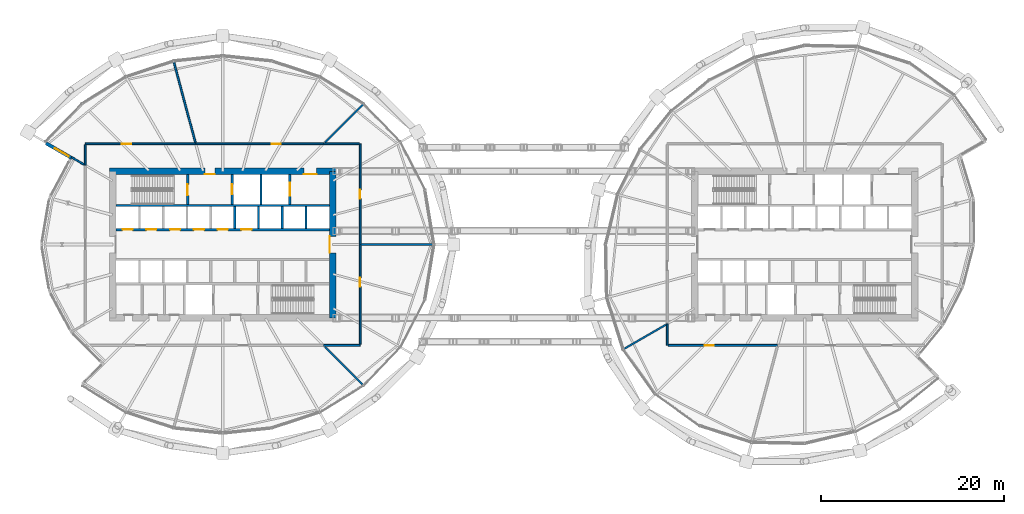
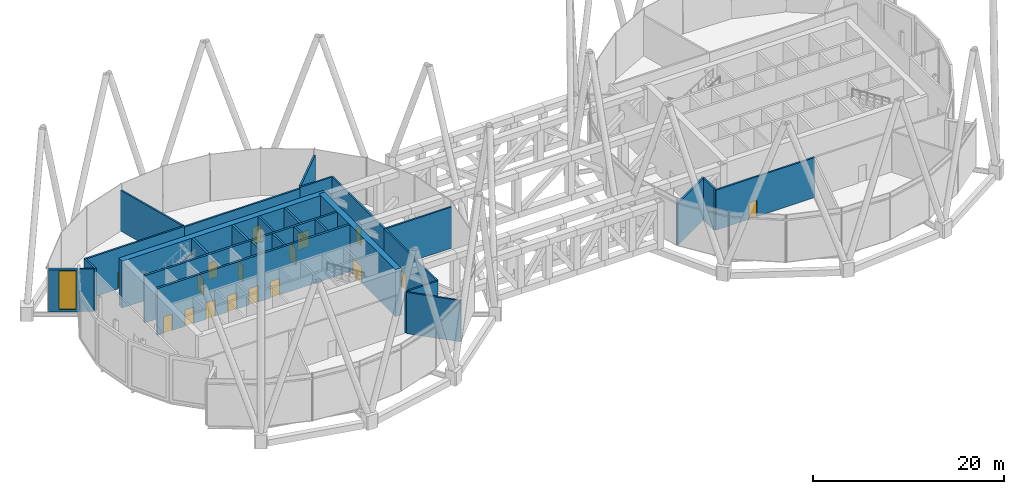
# One storey, part 33 of 39: 28 walls, 17 doors, 1 window, 18 openings.
"""IFC4 building model written with IfcOpenShell, lengths in metres."""

from ifc_helpers import new_model, si_unit, direction, frame, frame_2d, origin, place, context, subcontext, project, spatial, rectangle, extrude, material, layer, layer_set, type_object, element, fill, save


model = new_model("IFC4")

# Units and contexts
model_context = context("Model", 3, precision=1e-05, world=origin(), true_north=direction((0.0, 1.0)))
body_context = subcontext(model_context, "Body", "Model", "MODEL_VIEW")
ifc_project = project(units=[si_unit("LENGTHUNIT", "METRE"), si_unit("AREAUNIT", "SQUARE_METRE"), si_unit("VOLUMEUNIT", "CUBIC_METRE"), si_unit("PLANEANGLEUNIT", "RADIAN"), si_unit("MASSUNIT", "GRAM", prefix="KILO")], contexts=[model_context])

# Site, building, storey
site_placement = place(None, origin())
site = spatial("IfcSite", under=ifc_project, at=site_placement, CompositionType="ELEMENT")
building_placement = place(site_placement, origin())
building = spatial("IfcBuilding", under=site, at=building_placement, Name="Rimbun Link Towers", CompositionType="ELEMENT")
storey_placement = place(building_placement, frame((0.0, 0.0, 127.199951171875)))
storey = spatial("IfcBuildingStorey", under=building, at=storey_placement, Name="L31", CompositionType="ELEMENT", Elevation=127.199951171875)

# Wall, opening, window
ifc_material_1 = material(Name="Dark enamelled glass spandrel on insulated aluminium backpan", Category="aluminium")
ifc_layer_1 = layer(ifc_material_1, 0.3701171875)
ifc_layer_set_1 = layer_set([ifc_layer_1], Name="CS dark enamelled spandrel wall 370")
wall_type_1 = type_object("IfcWallType", Name="CS dark enamelled spandrel wall 370", PredefinedType="STANDARD", material=ifc_layer_set_1)
wall_1_placement = place(storey_placement, frame((-48.209228515625, 9.427734375, 0.0), z_axis=(0.0, 0.0, 1.0), x_axis=(-0.866040564224, 0.499973740429, 0.0)))
wall_1 = element("IfcWall", 1, at=wall_1_placement, inside=storey, type_object=wall_type_1, Name="Crease spandrel wall", PredefinedType="STANDARD", context=body_context, shape_type="SweptSolid", body=[
    extrude(rectangle(XDim=3.280029296875, YDim=0.3701171875, at=frame_2d((1.64013671875, 0.0))), origin(), (0.0, 0.0, 1.0), 5.403564453125),
])
opening_1_placement = place(wall_1_placement, frame((0.408447265625, 0.0, 0.300048828125)))
opening_1 = element("IfcOpeningElement", 2, at=opening_1_placement, cuts=wall_1, Name="Opening WR18H495", PredefinedType="OPENING", context=body_context, shape_type="SweptSolid", body=[
    extrude(rectangle(XDim=1.75, YDim=4.949951171875, at=frame_2d((0.875, 2.47509765625))), frame((0.0, 0.195068359375, 0.0), z_axis=(0.0, -1.0, 0.0), x_axis=(1.0, 0.0, 0.0)), (0.0, 0.0, 1.0), 0.39013671875),
])
ifc_material_2 = material(Name="Aluminium framed fixed window, dark tinted low-e glass", Category="aluminium")
window_type = type_object("IfcWindowType", Name="WR ribbon window 1750X4950", PartitioningType="SINGLE_PANEL", PredefinedType="WINDOW", material=ifc_material_2)
window_placement = place(opening_1_placement, origin())
window = element("IfcWindow", 3, at=window_placement, inside=storey, type_object=window_type, Name="Crease ribbon window", OverallHeight=4.949951171875, OverallWidth=1.75, PartitioningType="SINGLE_PANEL", PredefinedType="WINDOW", context=body_context, shape_type="SweptSolid", body=[
    extrude(rectangle(XDim=1.75, YDim=4.949951171875, at=frame_2d((0.875, 2.47509765625))), frame((0.0, 0.030029296875, 0.0), z_axis=(0.0, -1.0, 0.0), x_axis=(1.0, 0.0, 0.0)), (0.0, 0.0, 1.0), 0.06005859375),
])
fill(opening_1, window)

# Wall, openings, doors
ifc_material_3 = material(Name="Concrete C60/75", Category="concrete")
ifc_layer_2 = layer(ifc_material_3, 0.699951171875)
ifc_layer_set_2 = layer_set([ifc_layer_2], Name="Core shear wall 700")
wall_type_2 = type_object("IfcWallType", Name="Core shear wall 700", PredefinedType="SHEAR", material=ifc_layer_set_2)
wall_2_placement = place(storey_placement, frame((-44.10009765625, 8.0, 0.0), z_axis=(0.0, 0.0, 1.0), x_axis=(1.0, 0.0, 0.0)))
wall_2 = element("IfcWall", 4, at=wall_2_placement, inside=storey, type_object=wall_type_2, Name="L31 T1 core wall N", PredefinedType="SHEAR", context=body_context, shape_type="SweptSolid", body=[
    extrude(rectangle(XDim=24.7001953125, YDim=0.699951171875, at=frame_2d((12.35009765625, 0.0))), origin(), (0.0, 0.0, 1.0), 6.0),
])
opening_2_placement = place(wall_2_placement, frame((10.39990234375, 0.0, 0.0)))
opening_2 = element("IfcOpeningElement", 5, at=opening_2_placement, cuts=wall_2, Name="Opening C1DCF01N", PredefinedType="OPENING", context=body_context, shape_type="SweptSolid", body=[
    extrude(rectangle(XDim=1.10009765625, YDim=2.10009765625, at=frame_2d((0.550048828125, 1.050048828125))), frame((0.0, 0.35986328125, 0.0), z_axis=(0.0, -1.0, 0.0), x_axis=(1.0, 0.0, 0.0)), (0.0, 0.0, 1.0), 0.719970703125),
])
opening_3_placement = place(wall_2_placement, frame((21.199951171875, 0.0, 0.0)))
opening_3 = element("IfcOpeningElement", 6, at=opening_3_placement, cuts=wall_2, Name="Opening C1DSL02N", PredefinedType="OPENING", context=body_context, shape_type="SweptSolid", body=[
    extrude(rectangle(XDim=1.39990234375, YDim=2.10009765625, at=frame_2d((0.699951171875, 1.050048828125))), frame((0.0, 0.35986328125, 0.0), z_axis=(0.0, -1.0, 0.0), x_axis=(1.0, 0.0, 0.0)), (0.0, 0.0, 1.0), 0.719970703125),
])
ifc_material_4 = material(Name="Steel fire door set", Category="steel")
door_type_1 = type_object("IfcDoorType", Name="Core fire door single", OperationType="SINGLE_SWING_LEFT", PredefinedType="DOOR", material=ifc_material_4)
door_1_placement = place(opening_2_placement, origin())
door_1 = element("IfcDoor", 7, at=door_1_placement, inside=storey, type_object=door_type_1, Name="L31 T1 firefighting lobby n door", OperationType="SINGLE_SWING_LEFT", OverallHeight=2.10009765625, OverallWidth=1.10009765625, PredefinedType="DOOR", context=body_context, shape_type="SweptSolid", body=[
    extrude(rectangle(XDim=1.10009765625, YDim=2.10009765625, at=frame_2d((0.550048828125, 1.050048828125))), frame((0.0, -0.2998046875, 0.0), z_axis=(0.0, -1.0, 0.0), x_axis=(1.0, 0.0, 0.0)), (0.0, 0.0, 1.0), 0.050048828125),
])
fill(opening_2, door_1)
ifc_material_5 = material(Name="Steel fire door set", Category="steel")
door_type_2 = type_object("IfcDoorType", Name="Service lobby door double", OperationType="DOUBLE_DOOR_SINGLE_SWING", PredefinedType="DOOR", material=ifc_material_5)
door_2_placement = place(opening_3_placement, origin())
door_2 = element("IfcDoor", 8, at=door_2_placement, inside=storey, type_object=door_type_2, Name="L31 T1 service lobby door", OperationType="DOUBLE_DOOR_SINGLE_SWING", OverallHeight=2.10009765625, OverallWidth=1.39990234375, PredefinedType="DOOR", context=body_context, shape_type="SweptSolid", body=[
    extrude(rectangle(XDim=1.39990234375, YDim=2.10009765625, at=frame_2d((0.699951171875, 1.050048828125))), frame((0.0, -0.2998046875, 0.0), z_axis=(0.0, -1.0, 0.0), x_axis=(1.0, 0.0, 0.0)), (0.0, 0.0, 1.0), 0.050048828125),
])
fill(opening_3, door_2)

# Wall, opening, door
wall_3_placement = place(storey_placement, frame((-19.75, -8.0, 0.0), z_axis=(0.0, 0.0, 1.0), x_axis=(0.0, 1.0, 0.0)))
wall_3 = element("IfcWall", 9, at=wall_3_placement, inside=storey, type_object=wall_type_2, Name="L31 T1 core wall E", PredefinedType="SHEAR", context=body_context, shape_type="SweptSolid", body=[
    extrude(rectangle(XDim=16.0, YDim=0.699951171875, at=frame_2d((8.0, 0.0))), origin(), (0.0, 0.0, 1.0), 6.0),
])
opening_4_placement = place(wall_3_placement, frame((7.10009765625, 0.0, 0.0)))
opening_4 = element("IfcOpeningElement", 10, at=opening_4_placement, cuts=wall_3, Name="Opening C1DCL01E", PredefinedType="OPENING", context=body_context, shape_type="SweptSolid", body=[
    extrude(rectangle(XDim=1.800048828125, YDim=2.10009765625, at=frame_2d((0.89990234375, 1.050048828125))), frame((0.0, 0.35986328125, 0.0), z_axis=(0.0, -1.0, 0.0), x_axis=(1.0, 0.0, 0.0)), (0.0, 0.0, 1.0), 0.719970703125),
])
ifc_material_6 = material(Name="Steel fire door set", Category="steel")
door_type_3 = type_object("IfcDoorType", Name="Core lobby door double", OperationType="DOUBLE_DOOR_SINGLE_SWING", PredefinedType="DOOR", material=ifc_material_6)
door_3_placement = place(opening_4_placement, origin())
door_3 = element("IfcDoor", 11, at=door_3_placement, inside=storey, type_object=door_type_3, Name="L31 T1 lift lobby door", OperationType="DOUBLE_DOOR_SINGLE_SWING", OverallHeight=2.10009765625, OverallWidth=1.800048828125, PredefinedType="DOOR", context=body_context, shape_type="SweptSolid", body=[
    extrude(rectangle(XDim=1.800048828125, YDim=2.10009765625, at=frame_2d((0.89990234375, 1.050048828125))), frame((0.0, 0.35009765625, 0.0), z_axis=(0.0, -1.0, 0.0), x_axis=(1.0, 0.0, 0.0)), (0.0, 0.0, 1.0), 0.050048828125),
])
fill(opening_4, door_3)

# Wall
ifc_material_7 = material(Name="Concrete blockwork", Category="masonry")
ifc_layer_3 = layer(ifc_material_7, 0.199951171875)
ifc_layer_set_3 = layer_set([ifc_layer_3], Name="Fire partition 200 blockwork")
wall_type_3 = type_object("IfcWallType", Name="Fire partition 200 blockwork", PredefinedType="PARTITIONING", material=ifc_layer_set_3)
wall_4_placement = place(storey_placement, frame((-20.75, -11.0, 0.0), z_axis=(0.0, 0.0, 1.0), x_axis=(1.0, 0.0, 0.0)))
element("IfcWall", 12, at=wall_4_placement, inside=storey, type_object=wall_type_3, Name="TW/PW/L31/003", PredefinedType="PARTITIONING", context=body_context, shape_type="SweptSolid", body=[
    extrude(rectangle(XDim=4.0, YDim=0.199951171875, at=frame_2d((2.0, 0.0))), origin(), (0.0, 0.0, 1.0), 5.26708984375),
])

# Wall, opening, door
wall_5_placement = place(storey_placement, frame((-16.75, -10.89990234375, 0.0), z_axis=(0.0, 0.0, 1.0), x_axis=(0.0, 1.0, 0.0)))
wall_5 = element("IfcWall", 13, at=wall_5_placement, inside=storey, type_object=wall_type_3, Name="TW/PW/L31/004", PredefinedType="PARTITIONING", context=body_context, shape_type="SweptSolid", body=[
    extrude(rectangle(XDim=10.89990234375, YDim=0.199951171875, at=frame_2d((5.449951171875, 0.0))), origin(), (0.0, 0.0, 1.0), 5.26708984375),
])
opening_5_placement = place(wall_5_placement, frame((6.300048828125, 0.0, 0.0)))
opening_5 = element("IfcOpeningElement", 14, at=opening_5_placement, cuts=wall_5, Name="Opening TW D31.03", PredefinedType="OPENING", context=body_context, shape_type="SweptSolid", body=[
    extrude(rectangle(XDim=1.0, YDim=2.10009765625, at=frame_2d((0.5, 1.050048828125))), frame((0.0, 0.10986328125, 0.0), z_axis=(0.0, -1.0, 0.0), x_axis=(1.0, 0.0, 0.0)), (0.0, 0.0, 1.0), 0.219970703125),
])
ifc_material_8 = material(Name="Steel fire door set", Category="steel")
door_type_4 = type_object("IfcDoorType", Name="Fire door single leaf 1000 x 2100", OperationType="NOTDEFINED", PredefinedType="DOOR", material=ifc_material_8)
door_4_placement = place(opening_5_placement, origin())
door_4 = element("IfcDoor", 15, at=door_4_placement, inside=storey, type_object=door_type_4, Name="TW/DR/L31/003", OperationType="SINGLE_SWING_RIGHT", OverallHeight=2.10009765625, OverallWidth=1.0, PredefinedType="DOOR", context=body_context, shape_type="SweptSolid", body=[
    extrude(rectangle(XDim=1.0, YDim=2.10009765625, at=frame_2d((0.5, 1.050048828125))), frame((0.0, 0.02490234375, 0.0), z_axis=(0.0, -1.0, 0.0), x_axis=(1.0, 0.0, 0.0)), (0.0, 0.0, 1.0), 0.050048828125),
])
fill(opening_5, door_4)

wall_6_placement = place(storey_placement, frame((-16.75, 0.0, 0.0), z_axis=(0.0, 0.0, 1.0), x_axis=(0.0, 1.0, 0.0)))
wall_6 = element("IfcWall", 16, at=wall_6_placement, inside=storey, type_object=wall_type_3, Name="TW/PW/L31/005", PredefinedType="PARTITIONING", context=body_context, shape_type="SweptSolid", body=[
    extrude(rectangle(XDim=11.0, YDim=0.199951171875, at=frame_2d((5.5, 0.0))), origin(), (0.0, 0.0, 1.0), 5.26708984375),
])
opening_6_placement = place(wall_6_placement, frame((5.0, 0.0, 0.0)))
opening_6 = element("IfcOpeningElement", 17, at=opening_6_placement, cuts=wall_6, Name="Opening TW D31.04", PredefinedType="OPENING", context=body_context, shape_type="SweptSolid", body=[
    extrude(rectangle(XDim=1.0, YDim=2.10009765625, at=frame_2d((0.5, 1.050048828125))), frame((0.0, 0.10986328125, 0.0), z_axis=(0.0, -1.0, 0.0), x_axis=(1.0, 0.0, 0.0)), (0.0, 0.0, 1.0), 0.219970703125),
])
door_5_placement = place(opening_6_placement, origin())
door_5 = element("IfcDoor", 18, at=door_5_placement, inside=storey, type_object=door_type_4, Name="TW/DR/L31/004", OperationType="SINGLE_SWING_LEFT", OverallHeight=2.10009765625, OverallWidth=1.0, PredefinedType="DOOR", context=body_context, shape_type="SweptSolid", body=[
    extrude(rectangle(XDim=1.0, YDim=2.10009765625, at=frame_2d((0.5, 1.050048828125))), frame((0.0, 0.02490234375, 0.0), z_axis=(0.0, -1.0, 0.0), x_axis=(1.0, 0.0, 0.0)), (0.0, 0.0, 1.0), 0.050048828125),
])
fill(opening_6, door_5)

# Wall
wall_7_placement = place(storey_placement, frame((-16.85009765625, 11.0, 0.0), z_axis=(0.0, 0.0, 1.0), x_axis=(-1.0, 0.0, 0.0)))
element("IfcWall", 19, at=wall_7_placement, inside=storey, type_object=wall_type_3, Name="TW/PW/L31/006", PredefinedType="PARTITIONING", context=body_context, shape_type="SweptSolid", body=[
    extrude(rectangle(XDim=3.89990234375, YDim=0.199951171875, at=frame_2d((1.949951171875, 0.0))), origin(), (0.0, 0.0, 1.0), 5.26708984375),
])

# Wall, opening, door
wall_8_placement = place(storey_placement, frame((-20.75, 11.0, 0.0), z_axis=(0.0, 0.0, 1.0), x_axis=(-1.0, 0.0, 0.0)))
wall_8 = element("IfcWall", 20, at=wall_8_placement, inside=storey, type_object=wall_type_3, Name="TW/PW/L31/007", PredefinedType="PARTITIONING", context=body_context, shape_type="SweptSolid", body=[
    extrude(rectangle(XDim=13.947509765625, YDim=0.199951171875, at=frame_2d((6.9736328125, 0.0))), origin(), (0.0, 0.0, 1.0), 5.115966796875),
])
opening_7_placement = place(wall_8_placement, frame((4.6669921875, 0.0, 0.0)))
opening_7 = element("IfcOpeningElement", 21, at=opening_7_placement, cuts=wall_8, Name="Opening TW D31.05", PredefinedType="OPENING", context=body_context, shape_type="SweptSolid", body=[
    extrude(rectangle(XDim=1.0, YDim=2.10009765625, at=frame_2d((0.5, 1.050048828125))), frame((0.0, 0.10986328125, 0.0), z_axis=(0.0, -1.0, 0.0), x_axis=(1.0, 0.0, 0.0)), (0.0, 0.0, 1.0), 0.219970703125),
])
door_6_placement = place(opening_7_placement, origin())
door_6 = element("IfcDoor", 22, at=door_6_placement, inside=storey, type_object=door_type_4, Name="TW/DR/L31/005", OperationType="SINGLE_SWING_RIGHT", OverallHeight=2.10009765625, OverallWidth=1.0, PredefinedType="DOOR", context=body_context, shape_type="SweptSolid", body=[
    extrude(rectangle(XDim=1.0, YDim=2.10009765625, at=frame_2d((0.5, 1.050048828125))), frame((0.0, 0.02490234375, 0.0), z_axis=(0.0, -1.0, 0.0), x_axis=(1.0, 0.0, 0.0)), (0.0, 0.0, 1.0), 0.050048828125),
])
fill(opening_7, door_6)

wall_9_placement = place(storey_placement, frame((-34.697509765625, 11.0, 0.0), z_axis=(0.0, 0.0, 1.0), x_axis=(-1.0, 0.0, 0.0)))
wall_9 = element("IfcWall", 23, at=wall_9_placement, inside=storey, type_object=wall_type_3, Name="TW/PW/L31/008", PredefinedType="PARTITIONING", context=body_context, shape_type="SweptSolid", body=[
    extrude(rectangle(XDim=12.052490234375, YDim=0.199951171875, at=frame_2d((6.0263671875, 0.0))), origin(), (0.0, 0.0, 1.0), 5.197021484375),
])
opening_8_placement = place(wall_9_placement, frame((7.049072265625, 0.0, 0.0)))
opening_8 = element("IfcOpeningElement", 24, at=opening_8_placement, cuts=wall_9, Name="Opening TW D31.06", PredefinedType="OPENING", context=body_context, shape_type="SweptSolid", body=[
    extrude(rectangle(XDim=1.0, YDim=2.10009765625, at=frame_2d((0.5, 1.050048828125))), frame((0.0, 0.10986328125, 0.0), z_axis=(0.0, -1.0, 0.0), x_axis=(1.0, 0.0, 0.0)), (0.0, 0.0, 1.0), 0.219970703125),
])
door_7_placement = place(opening_8_placement, origin())
door_7 = element("IfcDoor", 25, at=door_7_placement, inside=storey, type_object=door_type_4, Name="TW/DR/L31/006", OperationType="SINGLE_SWING_LEFT", OverallHeight=2.10009765625, OverallWidth=1.0, PredefinedType="DOOR", context=body_context, shape_type="SweptSolid", body=[
    extrude(rectangle(XDim=1.0, YDim=2.10009765625, at=frame_2d((0.5, 1.050048828125))), frame((0.0, 0.02490234375, 0.0), z_axis=(0.0, -1.0, 0.0), x_axis=(1.0, 0.0, 0.0)), (0.0, 0.0, 1.0), 0.050048828125),
])
fill(opening_8, door_7)

# Walls
wall_10_placement = place(storey_placement, frame((-46.75, 10.89990234375, 0.0), z_axis=(0.0, 0.0, 1.0), x_axis=(0.0, -1.0, 0.0)))
element("IfcWall", 26, at=wall_10_placement, inside=storey, type_object=wall_type_3, Name="TW/PW/L31/009", PredefinedType="PARTITIONING", context=body_context, shape_type="SweptSolid", body=[
    extrude(rectangle(XDim=2.239501953125, YDim=0.199951171875, at=frame_2d((1.11962890625, 0.0))), origin(), (0.0, 0.0, 1.0), 5.39404296875),
])
wall_11_placement = place(storey_placement, frame((-16.398193359375, -15.351806640625, 0.0), z_axis=(0.0, 0.0, 1.0), x_axis=(-0.707106781187, 0.707106781187, 0.0)))
element("IfcWall", 27, at=wall_11_placement, inside=storey, type_object=wall_type_3, Name="TW/PW/L31/013", PredefinedType="PARTITIONING", context=body_context, shape_type="SweptSolid", body=[
    extrude(rectangle(XDim=5.9130859375, YDim=0.199951171875, at=frame_2d((2.95654296875, 0.0))), origin(), (0.0, 0.0, 1.0), 5.26708984375),
])
wall_12_placement = place(storey_placement, frame((-8.704833984375, 0.0, 0.0), z_axis=(0.0, 0.0, 1.0), x_axis=(-1.0, 0.0, 0.0)))
element("IfcWall", 28, at=wall_12_placement, inside=storey, type_object=wall_type_3, Name="TW/PW/L31/014", PredefinedType="PARTITIONING", context=body_context, shape_type="SweptSolid", body=[
    extrude(rectangle(XDim=7.945068359375, YDim=0.199951171875, at=frame_2d((3.97265625, 0.0))), origin(), (0.0, 0.0, 1.0), 5.26708984375),
])
wall_13_placement = place(storey_placement, frame((-16.454833984375, 15.295166015625, 0.0), z_axis=(0.0, 0.0, 1.0), x_axis=(-0.707106781187, -0.707106781187, 0.0)))
element("IfcWall", 29, at=wall_13_placement, inside=storey, type_object=wall_type_3, Name="TW/PW/L31/015", PredefinedType="PARTITIONING", context=body_context, shape_type="SweptSolid", body=[
    extrude(rectangle(XDim=5.8330078125, YDim=0.199951171875, at=frame_2d((2.91650390625, 0.0))), origin(), (0.0, 0.0, 1.0), 5.26708984375),
])
wall_14_placement = place(storey_placement, frame((-37.114013671875, 20.01904296875, 0.0), z_axis=(0.0, 0.0, 1.0), x_axis=(0.258811195119, -0.965927929652, 0.0)))
element("IfcWall", 30, at=wall_14_placement, inside=storey, type_object=wall_type_3, Name="TW/PW/L31/016", PredefinedType="PARTITIONING", context=body_context, shape_type="SweptSolid", body=[
    extrude(rectangle(XDim=9.206787109375, YDim=0.199951171875, at=frame_2d((4.603515625, 0.0))), origin(), (0.0, 0.0, 1.0), 5.197021484375),
])
wall_15_placement = place(storey_placement, frame((-48.24609375, 9.52392578125, 0.0), z_axis=(0.0, 0.0, 1.0), x_axis=(0.866060045659, -0.499939993713, 0.0)))
element("IfcWall", 31, at=wall_15_placement, inside=storey, type_object=wall_type_3, Name="TW/PW/L31/017", PredefinedType="PARTITIONING", context=body_context, shape_type="SweptSolid", body=[
    extrude(rectangle(XDim=1.554443359375, YDim=0.199951171875, at=frame_2d((0.77734375, 0.0))), origin(), (0.0, 0.0, 1.0), 5.39404296875),
])
wall_16_placement = place(storey_placement, frame((16.75, -8.660400390625, 0.0), z_axis=(0.0, 0.0, 1.0), x_axis=(0.0, -1.0, 0.0)))
element("IfcWall", 32, at=wall_16_placement, inside=storey, type_object=wall_type_3, Name="TW/PW/L31/018", PredefinedType="PARTITIONING", context=body_context, shape_type="SweptSolid", body=[
    extrude(rectangle(XDim=2.339599609375, YDim=0.199951171875, at=frame_2d((1.169921875, 0.0))), origin(), (0.0, 0.0, 1.0), 5.34716796875),
])

# Wall, opening, door
wall_17_placement = place(storey_placement, frame((16.85009765625, -11.0, 0.0), z_axis=(0.0, 0.0, 1.0), x_axis=(1.0, 0.0, 0.0)))
wall_17 = element("IfcWall", 33, at=wall_17_placement, inside=storey, type_object=wall_type_3, Name="TW/PW/L31/019", PredefinedType="PARTITIONING", context=body_context, shape_type="SweptSolid", body=[
    extrude(rectangle(XDim=11.952392578125, YDim=0.199951171875, at=frame_2d((5.97607421875, 0.0))), origin(), (0.0, 0.0, 1.0), 5.115966796875),
])
opening_9_placement = place(wall_17_placement, frame((3.968017578125, 0.0, 0.0)))
opening_9 = element("IfcOpeningElement", 34, at=opening_9_placement, cuts=wall_17, Name="Opening TW D31.08", PredefinedType="OPENING", context=body_context, shape_type="SweptSolid", body=[
    extrude(rectangle(XDim=1.0, YDim=2.10009765625, at=frame_2d((0.5, 1.050048828125))), frame((0.0, 0.10986328125, 0.0), z_axis=(0.0, -1.0, 0.0), x_axis=(1.0, 0.0, 0.0)), (0.0, 0.0, 1.0), 0.219970703125),
])
door_8_placement = place(opening_9_placement, origin())
door_8 = element("IfcDoor", 35, at=door_8_placement, inside=storey, type_object=door_type_4, Name="TW/DR/L31/008", OperationType="SINGLE_SWING_LEFT", OverallHeight=2.10009765625, OverallWidth=1.0, PredefinedType="DOOR", context=body_context, shape_type="SweptSolid", body=[
    extrude(rectangle(XDim=1.0, YDim=2.10009765625, at=frame_2d((0.5, 1.050048828125))), frame((0.0, 0.02490234375, 0.0), z_axis=(0.0, -1.0, 0.0), x_axis=(1.0, 0.0, 0.0)), (0.0, 0.0, 1.0), 0.050048828125),
])
fill(opening_9, door_8)

# Walls
wall_18_placement = place(storey_placement, frame((16.60009765625, -8.746826171875, 0.0), z_axis=(0.0, 0.0, 1.0), x_axis=(-0.866039146635, -0.499976195929, 0.0)))
element("IfcWall", 36, at=wall_18_placement, inside=storey, type_object=wall_type_3, Name="TW/PW/L31/030", PredefinedType="PARTITIONING", context=body_context, shape_type="SweptSolid", body=[
    extrude(rectangle(XDim=5.358154296875, YDim=0.199951171875, at=frame_2d((2.67919921875, 0.0))), origin(), (0.0, 0.0, 1.0), 5.34716796875),
])
ifc_material_9 = material(Name="Concrete C60/75", Category="concrete")
ifc_layer_4 = layer(ifc_material_9, 0.25)
ifc_layer_set_4 = layer_set([ifc_layer_4], Name="Shaft wall 250")
wall_type_4 = type_object("IfcWallType", Name="Shaft wall 250", PredefinedType="SHEAR", material=ifc_layer_set_4)
wall_19_placement = place(storey_placement, frame((-43.39990234375, 4.27490234375, 0.0), z_axis=(0.0, 0.0, 1.0), x_axis=(1.0, 0.0, 0.0)))
element("IfcWall", 37, at=wall_19_placement, inside=storey, type_object=wall_type_4, Name="L31 T1 core wall BN", PredefinedType="SHEAR", context=body_context, shape_type="SweptSolid", body=[
    extrude(rectangle(XDim=23.2998046875, YDim=0.25, at=frame_2d((11.64990234375, 0.0))), origin(), (0.0, 0.0, 1.0), 6.0),
])

# Wall, openings, doors
wall_20_placement = place(storey_placement, frame((-43.39990234375, 1.625, 0.0), z_axis=(0.0, 0.0, 1.0), x_axis=(1.0, 0.0, 0.0)))
wall_20 = element("IfcWall", 38, at=wall_20_placement, inside=storey, type_object=wall_type_4, Name="L31 T1 core wall FN", PredefinedType="SHEAR", context=body_context, shape_type="SweptSolid", body=[
    extrude(rectangle(XDim=23.2998046875, YDim=0.25, at=frame_2d((11.64990234375, 0.0))), origin(), (0.0, 0.0, 1.0), 6.0),
])
opening_10_placement = place(wall_20_placement, frame((0.72216796875, 0.0, 0.0)))
opening_10 = element("IfcOpeningElement", 39, at=opening_10_placement, cuts=wall_20, Name="Opening LD-T1-LR1", PredefinedType="OPENING", context=body_context, shape_type="SweptSolid", body=[
    extrude(rectangle(XDim=1.10009765625, YDim=2.10009765625, at=frame_2d((0.550048828125, 1.050048828125))), frame((0.0, 0.135009765625, 0.0), z_axis=(0.0, -1.0, 0.0), x_axis=(1.0, 0.0, 0.0)), (0.0, 0.0, 1.0), 0.27001953125),
])
opening_11_placement = place(wall_20_placement, frame((3.316650390625, 0.0, 0.0)))
opening_11 = element("IfcOpeningElement", 40, at=opening_11_placement, cuts=wall_20, Name="Opening LD-T1-LR2", PredefinedType="OPENING", context=body_context, shape_type="SweptSolid", body=[
    extrude(rectangle(XDim=1.10009765625, YDim=2.10009765625, at=frame_2d((0.550048828125, 1.050048828125))), frame((0.0, 0.135009765625, 0.0), z_axis=(0.0, -1.0, 0.0), x_axis=(1.0, 0.0, 0.0)), (0.0, 0.0, 1.0), 0.27001953125),
])
opening_12_placement = place(wall_20_placement, frame((5.9111328125, 0.0, 0.0)))
opening_12 = element("IfcOpeningElement", 41, at=opening_12_placement, cuts=wall_20, Name="Opening LD-T1-LR3", PredefinedType="OPENING", context=body_context, shape_type="SweptSolid", body=[
    extrude(rectangle(XDim=1.10009765625, YDim=2.10009765625, at=frame_2d((0.550048828125, 1.050048828125))), frame((0.0, 0.135009765625, 0.0), z_axis=(0.0, -1.0, 0.0), x_axis=(1.0, 0.0, 0.0)), (0.0, 0.0, 1.0), 0.27001953125),
])
opening_13_placement = place(wall_20_placement, frame((8.505615234375, 0.0, 0.0)))
opening_13 = element("IfcOpeningElement", 42, at=opening_13_placement, cuts=wall_20, Name="Opening LD-T1-LR4", PredefinedType="OPENING", context=body_context, shape_type="SweptSolid", body=[
    extrude(rectangle(XDim=1.10009765625, YDim=2.10009765625, at=frame_2d((0.550048828125, 1.050048828125))), frame((0.0, 0.135009765625, 0.0), z_axis=(0.0, -1.0, 0.0), x_axis=(1.0, 0.0, 0.0)), (0.0, 0.0, 1.0), 0.27001953125),
])
opening_14_placement = place(wall_20_placement, frame((11.10009765625, 0.0, 0.0)))
opening_14 = element("IfcOpeningElement", 43, at=opening_14_placement, cuts=wall_20, Name="Opening LD-T1-LR5", PredefinedType="OPENING", context=body_context, shape_type="SweptSolid", body=[
    extrude(rectangle(XDim=1.10009765625, YDim=2.10009765625, at=frame_2d((0.550048828125, 1.050048828125))), frame((0.0, 0.135009765625, 0.0), z_axis=(0.0, -1.0, 0.0), x_axis=(1.0, 0.0, 0.0)), (0.0, 0.0, 1.0), 0.27001953125),
])
opening_15_placement = place(wall_20_placement, frame((13.6943359375, 0.0, 0.0)))
opening_15 = element("IfcOpeningElement", 44, at=opening_15_placement, cuts=wall_20, Name="Opening LD-T1-LR6", PredefinedType="OPENING", context=body_context, shape_type="SweptSolid", body=[
    extrude(rectangle(XDim=1.10009765625, YDim=2.10009765625, at=frame_2d((0.550048828125, 1.050048828125))), frame((0.0, 0.135009765625, 0.0), z_axis=(0.0, -1.0, 0.0), x_axis=(1.0, 0.0, 0.0)), (0.0, 0.0, 1.0), 0.27001953125),
])
ifc_material_10 = material(Name="Stainless steel grade 316", Category="steel")
door_type_5 = type_object("IfcDoorType", Name="Lift landing door", OperationType="DOUBLE_DOOR_SLIDING", PredefinedType="DOOR", material=ifc_material_10)
door_9_placement = place(opening_10_placement, origin())
door_9 = element("IfcDoor", 45, at=door_9_placement, inside=storey, type_object=door_type_5, Name="L31 T1 lift LR1 landing door", OperationType="DOUBLE_DOOR_SLIDING", OverallHeight=2.10009765625, OverallWidth=1.10009765625, PredefinedType="DOOR", context=body_context, shape_type="SweptSolid", body=[
    extrude(rectangle(XDim=1.10009765625, YDim=2.10009765625, at=frame_2d((0.550048828125, 1.050048828125))), frame((0.0, 0.02490234375, 0.0), z_axis=(0.0, -1.0, 0.0), x_axis=(1.0, 0.0, 0.0)), (0.0, 0.0, 1.0), 0.050048828125),
])
fill(opening_10, door_9)
door_10_placement = place(opening_11_placement, origin())
door_10 = element("IfcDoor", 46, at=door_10_placement, inside=storey, type_object=door_type_5, Name="L31 T1 lift LR2 landing door", OperationType="DOUBLE_DOOR_SLIDING", OverallHeight=2.10009765625, OverallWidth=1.10009765625, PredefinedType="DOOR", context=body_context, shape_type="SweptSolid", body=[
    extrude(rectangle(XDim=1.10009765625, YDim=2.10009765625, at=frame_2d((0.550048828125, 1.050048828125))), frame((0.0, 0.02490234375, 0.0), z_axis=(0.0, -1.0, 0.0), x_axis=(1.0, 0.0, 0.0)), (0.0, 0.0, 1.0), 0.050048828125),
])
fill(opening_11, door_10)
door_11_placement = place(opening_12_placement, origin())
door_11 = element("IfcDoor", 47, at=door_11_placement, inside=storey, type_object=door_type_5, Name="L31 T1 lift LR3 landing door", OperationType="DOUBLE_DOOR_SLIDING", OverallHeight=2.10009765625, OverallWidth=1.10009765625, PredefinedType="DOOR", context=body_context, shape_type="SweptSolid", body=[
    extrude(rectangle(XDim=1.10009765625, YDim=2.10009765625, at=frame_2d((0.550048828125, 1.050048828125))), frame((0.0, 0.02490234375, 0.0), z_axis=(0.0, -1.0, 0.0), x_axis=(1.0, 0.0, 0.0)), (0.0, 0.0, 1.0), 0.050048828125),
])
fill(opening_12, door_11)
door_12_placement = place(opening_13_placement, origin())
door_12 = element("IfcDoor", 48, at=door_12_placement, inside=storey, type_object=door_type_5, Name="L31 T1 lift LR4 landing door", OperationType="DOUBLE_DOOR_SLIDING", OverallHeight=2.10009765625, OverallWidth=1.10009765625, PredefinedType="DOOR", context=body_context, shape_type="SweptSolid", body=[
    extrude(rectangle(XDim=1.10009765625, YDim=2.10009765625, at=frame_2d((0.550048828125, 1.050048828125))), frame((0.0, 0.02490234375, 0.0), z_axis=(0.0, -1.0, 0.0), x_axis=(1.0, 0.0, 0.0)), (0.0, 0.0, 1.0), 0.050048828125),
])
fill(opening_13, door_12)
door_13_placement = place(opening_14_placement, origin())
door_13 = element("IfcDoor", 49, at=door_13_placement, inside=storey, type_object=door_type_5, Name="L31 T1 lift LR5 landing door", OperationType="DOUBLE_DOOR_SLIDING", OverallHeight=2.10009765625, OverallWidth=1.10009765625, PredefinedType="DOOR", context=body_context, shape_type="SweptSolid", body=[
    extrude(rectangle(XDim=1.10009765625, YDim=2.10009765625, at=frame_2d((0.550048828125, 1.050048828125))), frame((0.0, 0.02490234375, 0.0), z_axis=(0.0, -1.0, 0.0), x_axis=(1.0, 0.0, 0.0)), (0.0, 0.0, 1.0), 0.050048828125),
])
fill(opening_14, door_13)
door_14_placement = place(opening_15_placement, origin())
door_14 = element("IfcDoor", 50, at=door_14_placement, inside=storey, type_object=door_type_5, Name="L31 T1 lift LR6 landing door", OperationType="DOUBLE_DOOR_SLIDING", OverallHeight=2.10009765625, OverallWidth=1.10009765625, PredefinedType="DOOR", context=body_context, shape_type="SweptSolid", body=[
    extrude(rectangle(XDim=1.10009765625, YDim=2.10009765625, at=frame_2d((0.550048828125, 1.050048828125))), frame((0.0, 0.02490234375, 0.0), z_axis=(0.0, -1.0, 0.0), x_axis=(1.0, 0.0, 0.0)), (0.0, 0.0, 1.0), 0.050048828125),
])
fill(opening_15, door_14)

# Walls
for number, where, z_axis, x_axis, name in (
    (51, (-30.452880859375, 1.75, 0.0), (0.0, 0.0, 1.0), (0.0, 1.0, 0.0), "L31 T1 core wall DN4"),
    (52, (-27.8583984375, 1.75, 0.0), (0.0, 0.0, 1.0), (0.0, 1.0, 0.0), "L31 T1 core wall DN5"),
    (53, (-25.263916015625, 1.75, 0.0), (0.0, 0.0, 1.0), (0.0, 1.0, 0.0), "L31 T1 core wall DN6"),
    (54, (-22.66943359375, 1.75, 0.0), (0.0, 0.0, 1.0), (0.0, 1.0, 0.0), "L31 T1 core wall DN7"),
):
    element("IfcWall", number, at=place(storey_placement, frame(where, z_axis=z_axis, x_axis=x_axis)), inside=storey, type_object=wall_type_4, Name=name, PredefinedType="SHEAR", context=body_context, shape_type="SweptSolid", body=[
        extrude(rectangle(XDim=2.39990234375, YDim=0.25, at=frame_2d((1.199951171875, 0.0))), origin(), (0.0, 0.0, 1.0), 6.0),
    ])

# Wall, opening, door
wall_21_placement = place(storey_placement, frame((-35.574951171875, 4.39990234375, 0.0), z_axis=(0.0, 0.0, 1.0), x_axis=(0.0, 1.0, 0.0)))
wall_21 = element("IfcWall", 55, at=wall_21_placement, inside=storey, type_object=wall_type_4, Name="L31 T1 core wall A1", PredefinedType="SHEAR", context=body_context, shape_type="SweptSolid", body=[
    extrude(rectangle(XDim=3.25, YDim=0.25, at=frame_2d((1.625, 0.0))), origin(), (0.0, 0.0, 1.0), 6.0),
])
opening_16_placement = place(wall_21_placement, frame((0.97509765625, 0.0, 0.0)))
opening_16 = element("IfcOpeningElement", 56, at=opening_16_placement, cuts=wall_21, Name="Opening C1DST01A1", PredefinedType="OPENING", context=body_context, shape_type="SweptSolid", body=[
    extrude(rectangle(XDim=1.199951171875, YDim=2.10009765625, at=frame_2d((0.60009765625, 1.050048828125))), frame((0.0, 0.135009765625, 0.0), z_axis=(0.0, -1.0, 0.0), x_axis=(1.0, 0.0, 0.0)), (0.0, 0.0, 1.0), 0.27001953125),
])
ifc_material_11 = material(Name="Steel fire door set", Category="steel")
door_type_6 = type_object("IfcDoorType", Name="Stair door", OperationType="SINGLE_SWING_LEFT", PredefinedType="DOOR", material=ifc_material_11)
door_15_placement = place(opening_16_placement, origin())
door_15 = element("IfcDoor", 57, at=door_15_placement, inside=storey, type_object=door_type_6, Name="L31 T1 stair a door", OperationType="SINGLE_SWING_RIGHT", OverallHeight=2.10009765625, OverallWidth=1.199951171875, PredefinedType="DOOR", context=body_context, shape_type="SweptSolid", body=[
    extrude(rectangle(XDim=1.199951171875, YDim=2.10009765625, at=frame_2d((0.60009765625, 1.050048828125))), frame((0.0, 0.02490234375, 0.0), z_axis=(0.0, -1.0, 0.0), x_axis=(1.0, 0.0, 0.0)), (0.0, 0.0, 1.0), 0.050048828125),
])
fill(opening_16, door_15)

wall_22_placement = place(storey_placement, frame((-30.72509765625, 4.39990234375, 0.0), z_axis=(0.0, 0.0, 1.0), x_axis=(0.0, 1.0, 0.0)))
wall_22 = element("IfcWall", 58, at=wall_22_placement, inside=storey, type_object=wall_type_4, Name="L31 T1 core wall A2", PredefinedType="SHEAR", context=body_context, shape_type="SweptSolid", body=[
    extrude(rectangle(XDim=3.25, YDim=0.25, at=frame_2d((1.625, 0.0))), origin(), (0.0, 0.0, 1.0), 6.0),
])
opening_17_placement = place(wall_22_placement, frame((1.074951171875, 0.0, 0.0)))
opening_17 = element("IfcOpeningElement", 59, at=opening_17_placement, cuts=wall_22, Name="Opening LD-T1-FF1", PredefinedType="OPENING", context=body_context, shape_type="SweptSolid", body=[
    extrude(rectangle(XDim=1.10009765625, YDim=2.10009765625, at=frame_2d((0.550048828125, 1.050048828125))), frame((0.0, 0.135009765625, 0.0), z_axis=(0.0, -1.0, 0.0), x_axis=(1.0, 0.0, 0.0)), (0.0, 0.0, 1.0), 0.27001953125),
])
door_16_placement = place(opening_17_placement, origin())
door_16 = element("IfcDoor", 60, at=door_16_placement, inside=storey, type_object=door_type_5, Name="L31 T1 lift FF1 landing door", OperationType="DOUBLE_DOOR_SLIDING", OverallHeight=2.10009765625, OverallWidth=1.10009765625, PredefinedType="DOOR", context=body_context, shape_type="SweptSolid", body=[
    extrude(rectangle(XDim=1.10009765625, YDim=2.10009765625, at=frame_2d((0.550048828125, 1.050048828125))), frame((0.0, 0.02490234375, 0.0), z_axis=(0.0, -1.0, 0.0), x_axis=(1.0, 0.0, 0.0)), (0.0, 0.0, 1.0), 0.050048828125),
])
fill(opening_17, door_16)

# Wall
wall_23_placement = place(storey_placement, frame((-27.574951171875, 4.39990234375, 0.0), z_axis=(0.0, 0.0, 1.0), x_axis=(0.0, 1.0, 0.0)))
element("IfcWall", 61, at=wall_23_placement, inside=storey, type_object=wall_type_4, Name="L31 T1 core wall A3", PredefinedType="SHEAR", context=body_context, shape_type="SweptSolid", body=[
    extrude(rectangle(XDim=3.25, YDim=0.25, at=frame_2d((1.625, 0.0))), origin(), (0.0, 0.0, 1.0), 6.0),
])

# Wall, opening, door
wall_24_placement = place(storey_placement, frame((-24.425048828125, 4.39990234375, 0.0), z_axis=(0.0, 0.0, 1.0), x_axis=(0.0, 1.0, 0.0)))
wall_24 = element("IfcWall", 62, at=wall_24_placement, inside=storey, type_object=wall_type_4, Name="L31 T1 core wall A4", PredefinedType="SHEAR", context=body_context, shape_type="SweptSolid", body=[
    extrude(rectangle(XDim=3.25, YDim=0.25, at=frame_2d((1.625, 0.0))), origin(), (0.0, 0.0, 1.0), 6.0),
])
opening_18_placement = place(wall_24_placement, frame((0.925048828125, 0.0, 0.0)))
opening_18 = element("IfcOpeningElement", 63, at=opening_18_placement, cuts=wall_24, Name="Opening LD-T1-GL1", PredefinedType="OPENING", context=body_context, shape_type="SweptSolid", body=[
    extrude(rectangle(XDim=1.39990234375, YDim=2.10009765625, at=frame_2d((0.699951171875, 1.050048828125))), frame((0.0, 0.135009765625, 0.0), z_axis=(0.0, -1.0, 0.0), x_axis=(1.0, 0.0, 0.0)), (0.0, 0.0, 1.0), 0.27001953125),
])
ifc_material_12 = material(Name="Stainless steel grade 316", Category="steel")
door_type_7 = type_object("IfcDoorType", Name="Goods lift landing door", OperationType="DOUBLE_DOOR_SLIDING", PredefinedType="DOOR", material=ifc_material_12)
door_17_placement = place(opening_18_placement, origin())
door_17 = element("IfcDoor", 64, at=door_17_placement, inside=storey, type_object=door_type_7, Name="L31 T1 lift GL1 landing door", OperationType="DOUBLE_DOOR_SLIDING", OverallHeight=2.10009765625, OverallWidth=1.39990234375, PredefinedType="DOOR", context=body_context, shape_type="SweptSolid", body=[
    extrude(rectangle(XDim=1.39990234375, YDim=2.10009765625, at=frame_2d((0.699951171875, 1.050048828125))), frame((0.0, 0.02490234375, 0.0), z_axis=(0.0, -1.0, 0.0), x_axis=(1.0, 0.0, 0.0)), (0.0, 0.0, 1.0), 0.050048828125),
])
fill(opening_18, door_17)

save(model, "model.ifc")
